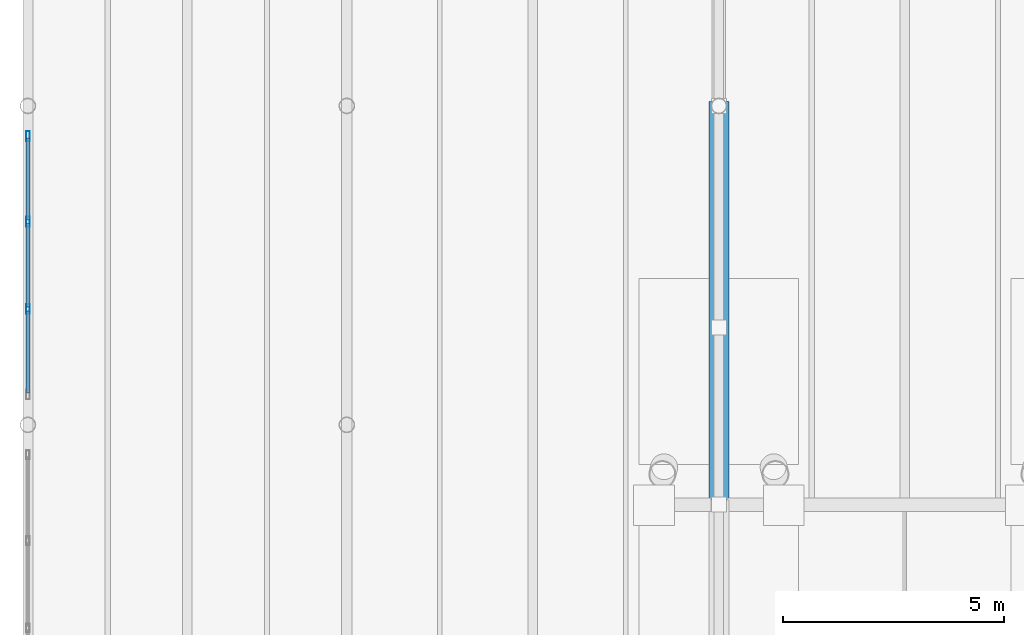
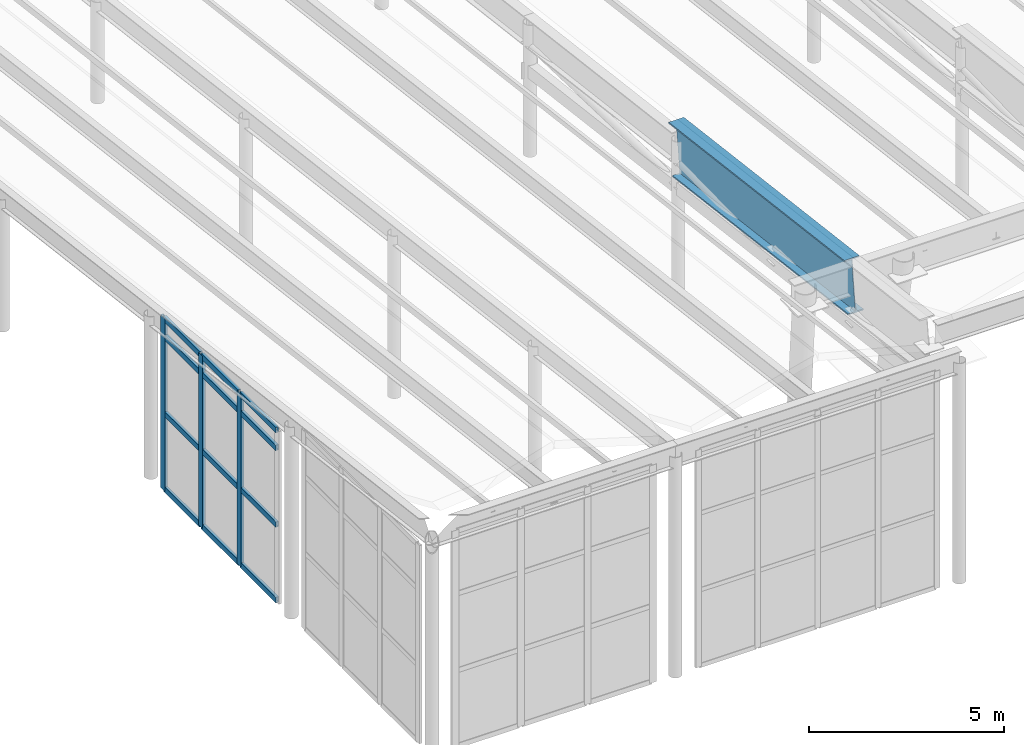
# One storey, part 5 of 14: 15 members, 1 beam, 1 element without a shape of its own.
"""IFC4 building model written with IfcOpenShell, lengths in metres."""

import ifcopenshell
import ifcopenshell.guid

model = None  # the IFC model being written
_history = None  # IfcOwnerHistory: only IFC2X3 demands one
_inside = {}  # id of a spatial element -> (the spatial element, [elements in it])
_under = {}  # id of a project, library or spatial element -> (it, [spatial elements below it])
_declared = {}  # id of a project -> (the project, [libraries it declares])
_typed = {}  # id of a type object -> (the type object, [elements of that type])
_made_of = {}  # id of a material, layer set ... -> (it, [elements and type objects made of it])


def new_model(schema):
    """Start an empty IFC model of exactly this schema.

    Asked for "IFC4X3", IfcOpenShell would pick the latest addendum, in which some entities
    have other attributes; the version numbers below select the first issue.
    IFC2X3 requires an IfcOwnerHistory on every rooted entity: one is made here for all.
    """
    global model, _history
    if schema == "IFC4X3":
        model = ifcopenshell.file(schema_version=(4, 3, 0, 0))
    else:
        model = ifcopenshell.file(schema=schema)
    _inside.clear()
    _under.clear()
    _declared.clear()
    _typed.clear()
    _made_of.clear()
    _history = None
    if model.schema == "IFC2X3":
        org = make("IfcOrganization", Name="unknown")
        user = make(
            "IfcPersonAndOrganization",
            ThePerson=make("IfcPerson", FamilyName="unknown"),
            TheOrganization=org,
        )
        app = make(
            "IfcApplication",
            ApplicationDeveloper=org,
            Version="unknown",
            ApplicationFullName="unknown",
            ApplicationIdentifier="unknown",
        )
        _history = make(
            "IfcOwnerHistory",
            OwningUser=user,
            OwningApplication=app,
            ChangeAction="ADDED",
            CreationDate=0,
        )
    return model


def make(cls, **values):
    """One entity of the class cls with the attributes given. An attribute that is None is left unset."""
    return model.create_entity(
        cls, **{name: value for name, value in values.items() if value is not None}
    )


def rooted(cls, **values):
    """An entity with a GlobalId (a new one), such as an element, a storey or a relation."""
    return make(cls, GlobalId=ifcopenshell.guid.new(), OwnerHistory=_history, **values)


def si_unit(unit_type, name, prefix=None):
    """IfcSIUnit, for example si_unit("LENGTHUNIT", "METRE", prefix="MILLI")."""
    return make("IfcSIUnit", UnitType=unit_type, Prefix=prefix, Name=name)


def assignment(units):
    """IfcUnitAssignment: the units of a project."""
    return None if units is None else make("IfcUnitAssignment", Units=units)


def point(xyz):
    """IfcCartesianPoint."""
    return None if xyz is None else make("IfcCartesianPoint", Coordinates=xyz)


def direction(xyz):
    """IfcDirection."""
    return None if xyz is None else make("IfcDirection", DirectionRatios=xyz)


def frame(location, z_axis=None, x_axis=None):
    """IfcAxis2Placement3D, a coordinate frame: its origin and axes. An axis left out is left unset."""
    return make(
        "IfcAxis2Placement3D",
        Location=point(location),
        Axis=direction(z_axis),
        RefDirection=direction(x_axis),
    )


def frame_2d(location, x_axis=None):
    """IfcAxis2Placement2D, a coordinate frame in the plane: its origin and x axis."""
    return make(
        "IfcAxis2Placement2D", Location=point(location), RefDirection=direction(x_axis)
    )


def origin():
    """The frame at (0, 0, 0) with its axes left unset."""
    return frame((0.0, 0.0, 0.0))


def origin_2d():
    """The frame at (0, 0) in the plane with its x axis left unset."""
    return frame_2d((0.0, 0.0))


def place(relative_to, where):
    """IfcLocalPlacement: puts the frame where relative to a parent placement (None: the world)."""
    return make(
        "IfcLocalPlacement", PlacementRelTo=relative_to, RelativePlacement=where
    )


def context(
    kind, dimensions, precision=None, world=None, true_north=None, identifier=None
):
    """IfcGeometricRepresentationContext, for example the 3D "Model" context."""
    return make(
        "IfcGeometricRepresentationContext",
        ContextIdentifier=identifier,
        ContextType=kind,
        CoordinateSpaceDimension=dimensions,
        Precision=precision,
        WorldCoordinateSystem=world,
        TrueNorth=true_north,
    )


def subcontext(parent, identifier, kind, view, scale=None):
    """IfcGeometricRepresentationSubContext, for example "Body" below "Model"."""
    return make(
        "IfcGeometricRepresentationSubContext",
        ContextIdentifier=identifier,
        ContextType=kind,
        ParentContext=parent,
        TargetScale=scale,
        TargetView=view,
    )


def project(units=None, contexts=None):
    """IfcProject with its units and contexts."""
    return rooted(
        "IfcProject",
        Name="project",
        RepresentationContexts=contexts,
        UnitsInContext=assignment(units),
    )


def spatial(cls, under=None, at=None, **own):
    """A site, building, storey or space (cls), placed at a placement, below another one or the project."""
    s = rooted(cls, ObjectPlacement=at, **own)
    if under is not None:
        _under.setdefault(under.id(), (under, []))[1].append(s)
    return s


def profile(cls, at=None, kind="AREA", **sizes):
    """A parametric profile (cls). Its sizes go by their IFC names, for example OverallWidth=200.0."""
    return make(cls, ProfileType=kind, Position=at, **sizes)


def hollow_rectangle(**sizes):
    """IfcRectangleHollowProfileDef."""
    return profile("IfcRectangleHollowProfileDef", **sizes)


def i_section(**sizes):
    """IfcIShapeProfileDef."""
    return profile("IfcIShapeProfileDef", **sizes)


def extrude(swept, where, along, depth):
    """IfcExtrudedAreaSolid: the profile swept, set in the frame where, extruded along a direction by depth."""
    return make(
        "IfcExtrudedAreaSolid",
        SweptArea=swept,
        Position=where,
        ExtrudedDirection=direction(along),
        Depth=depth,
    )


def shape(context_of_items, identifier, shape_type, items):
    """IfcShapeRepresentation: the items that make up one representation, for example the "Body"."""
    return make(
        "IfcShapeRepresentation",
        ContextOfItems=context_of_items,
        RepresentationIdentifier=identifier,
        RepresentationType=shape_type,
        Items=items,
    )


def material(Name=None, Category=None):
    """IfcMaterial."""
    return make("IfcMaterial", Name=Name, Category=Category)


def layer(
    of_material, thickness, ventilated=None, Name=None, Category=None, Priority=None
):
    """IfcMaterialLayer: one layer of a wall or slab, of a material (None: an air gap)."""
    return make(
        "IfcMaterialLayer",
        Material=of_material,
        LayerThickness=thickness,
        IsVentilated=ventilated,
        Name=Name,
        Category=Category,
        Priority=Priority,
    )


def layer_set(layers, Name=None):
    """IfcMaterialLayerSet."""
    return make("IfcMaterialLayerSet", MaterialLayers=layers, LayerSetName=Name)


def material_profile(
    of_material, cross_section, Name=None, Category=None, Priority=None
):
    """IfcMaterialProfile: a cross section and its material."""
    return make(
        "IfcMaterialProfile",
        Name=Name,
        Material=of_material,
        Profile=cross_section,
        Priority=Priority,
        Category=Category,
    )


def profile_set(profiles, Name=None, composite=None):
    """IfcMaterialProfileSet."""
    return make(
        "IfcMaterialProfileSet",
        Name=Name,
        MaterialProfiles=profiles,
        CompositeProfile=composite,
    )


def made_of(thing, what):
    """Note that an element or type object is made of a material, layer set ...; save() writes the relation."""
    if what is not None:
        _made_of.setdefault(what.id(), (what, []))[1].append(thing)
    return thing


def type_object(cls, material=None, **own):
    """A type object (cls), such as IfcWallType, which elements share."""
    return made_of(rooted(cls, **own), material)


def element(
    cls,
    number,
    at=None,
    inside=None,
    cuts=None,
    type_object=None,
    material=None,
    context=None,
    identifier="Body",
    shape_type=None,
    held_by="IfcProductDefinitionShape",
    body=None,
    shapes=None,
    **own,
):
    """One element of the class cls, such as IfcWall. Its Tag is "e" and its number.

    at: its placement. inside: the storey or other place that contains it. cuts: it is an
    opening in that element (IfcRelVoidsElement). A single representation is given by context,
    identifier, shape_type and body (its items); several are given by shapes. held_by: the class
    of the entity that holds the representations. save() writes the other relations.
    """
    e = rooted(cls, Tag="e%d" % number, ObjectPlacement=at, **own)
    if body is not None:
        shapes = [shape(context, identifier, shape_type, body)]
    if shapes is not None:
        e.Representation = make(held_by, Representations=shapes)
    if inside is not None:
        _inside.setdefault(inside.id(), (inside, []))[1].append(e)
    if cuts is not None:
        rooted(
            "IfcRelVoidsElement", RelatingBuildingElement=cuts, RelatedOpeningElement=e
        )
    if type_object is not None:
        _typed.setdefault(type_object.id(), (type_object, []))[1].append(e)
    return made_of(e, material)


def aggregate(whole, parts):
    """IfcRelAggregates: a whole, such as a stair, and the parts it consists of."""
    return rooted("IfcRelAggregates", RelatingObject=whole, RelatedObjects=parts)


def save(model, path):
    """Write the relations noted so far, then the file.

    IfcRelAggregates (storeys below a building ...), IfcRelContainedInSpatialStructure (elements
    in a storey), IfcRelDefinesByType, IfcRelAssociatesMaterial and IfcRelDeclares: one each for
    every whole, place, type object, material and project.
    """
    for whole, parts in _under.values():
        aggregate(whole, parts)
    for where, things in _inside.values():
        rooted(
            "IfcRelContainedInSpatialStructure",
            RelatedElements=things,
            RelatingStructure=where,
        )
    for kind, things in _typed.values():
        rooted("IfcRelDefinesByType", RelatedObjects=things, RelatingType=kind)
    for what, things in _made_of.values():
        rooted("IfcRelAssociatesMaterial", RelatedObjects=things, RelatingMaterial=what)
    for by, libraries in _declared.values():
        rooted("IfcRelDeclares", RelatingContext=by, RelatedDefinitions=libraries)
    model.write(path)


model = new_model("IFC4")

# Units and contexts
model_context = context("Model", 3, precision=1e-05, world=origin(), true_north=direction((0.0, 1.0)))
body_context = subcontext(model_context, "Body", "Model", "MODEL_VIEW")
ifc_project = project(units=[si_unit("LENGTHUNIT", "METRE"), si_unit("AREAUNIT", "SQUARE_METRE"), si_unit("VOLUMEUNIT", "CUBIC_METRE"), si_unit("PLANEANGLEUNIT", "RADIAN"), si_unit("MASSUNIT", "GRAM", prefix="KILO")], contexts=[model_context])

# Site, building, storey
site_placement = place(None, origin())
site = spatial("IfcSite", under=ifc_project, at=site_placement, CompositionType="ELEMENT")
building_placement = place(site_placement, origin())
building = spatial("IfcBuilding", under=site, at=building_placement, Name="Xicomal Pleat Aquarium", CompositionType="ELEMENT")
storey_placement = place(building_placement, frame((0.0, 0.0, 24.0)))
storey = spatial("IfcBuildingStorey", under=building, at=storey_placement, Name="RF", CompositionType="ELEMENT", Elevation=24.0)

# Beam
ifc_material_1 = material(Name="Structural steel A992 Gr 50", Category="steel")
ifc_material_profile_1 = material_profile(ifc_material_1, i_section(OverallWidth=0.449951171875, OverallDepth=1.60009765625, WebThickness=0.02197265625, FlangeThickness=0.0400390625, at=origin_2d()), Name="IR 1600x540")
ifc_profile_set_1 = profile_set([ifc_material_profile_1], Name="Structural steel A992 Gr 50")
beam_type = type_object("IfcBeamType", Name="BM-STL-IR1600", PredefinedType="BEAM", material=ifc_profile_set_1)
beam_placement = place(storey_placement, frame((18.60009765625, 6.199951171875, 5.943115234375), z_axis=(0.0, 0.992208154771, -0.124591242091), x_axis=(-1.0, 0.0, 0.0)))
element("IfcBeam", 1, at=beam_placement, inside=storey, type_object=beam_type, Name="RF pleated canopy girder 03-MID", PredefinedType="BEAM", context=body_context, shape_type="SweptSolid", body=[
    extrude(i_section(OverallWidth=0.449951171875, OverallDepth=1.60009765625, WebThickness=0.02197265625, FlangeThickness=0.0400390625, at=origin_2d()), origin(), (0.0, 0.0, 1.0), 9.070556640625),
])

# Curtain wall, members
ifc_material_2 = material(Name="Bronze anodized aluminium 6063-T6", Category="aluminium")
ifc_layer = layer(ifc_material_2, 0.159912109375)
ifc_layer_set = layer_set([ifc_layer], Name="Bronze anodized aluminium 6063-T6")
curtain_wall_type = type_object("IfcCurtainWallType", Name="CW-SYS-05", PredefinedType="NOTDEFINED", material=ifc_layer_set)
curtain_wall_placement = place(storey_placement, origin())
curtain_wall = element("IfcCurtainWall", 2, at=curtain_wall_placement, inside=storey, type_object=curtain_wall_type, Name="RF pleated crown clerestory curtain wall CW-RF-02", PredefinedType="NOTDEFINED")
ifc_material_3 = material(Name="Bronze anodized aluminium 6063-T6", Category="aluminium")
ifc_material_profile_2 = material_profile(ifc_material_3, hollow_rectangle(XDim=0.0849609375, YDim=0.219970703125, WallThickness=0.0048828125, at=origin_2d()), Name="ALU MULL 85x220")
ifc_profile_set_2 = profile_set([ifc_material_profile_2], Name="Bronze anodized aluminium 6063-T6")
member_type_1 = type_object("IfcMemberType", Name="CWM-85x220", PredefinedType="MULLION", material=ifc_profile_set_2)
member_1_placement = place(storey_placement, frame((3.0, 10.61328125, 0.0), z_axis=(0.0, 0.0, 1.0), x_axis=(-1.0, 0.0, 0.0)))
member_1 = element("IfcMember", 3, at=member_1_placement, type_object=member_type_1, Name="CW-05 mullion 2", PredefinedType="MULLION", context=body_context, shape_type="SweptSolid", body=[
    extrude(hollow_rectangle(XDim=0.0849609375, YDim=0.219970703125, WallThickness=0.0048828125, at=origin_2d()), origin(), (0.0, 0.0, 1.0), 5.39990234375),
])
member_2_placement = place(storey_placement, frame((3.0, 12.586669921875, 0.0), z_axis=(0.0, 0.0, 1.0), x_axis=(-1.0, 0.0, 0.0)))
member_2 = element("IfcMember", 4, at=member_2_placement, type_object=member_type_1, Name="CW-05 mullion 3", PredefinedType="MULLION", context=body_context, shape_type="SweptSolid", body=[
    extrude(hollow_rectangle(XDim=0.0849609375, YDim=0.219970703125, WallThickness=0.0048828125, at=origin_2d()), origin(), (0.0, 0.0, 1.0), 5.39990234375),
])
member_3_placement = place(storey_placement, frame((3.0, 14.517578125, 0.0), z_axis=(0.0, 0.0, 1.0), x_axis=(-1.0, 0.0, 0.0)))
member_3 = element("IfcMember", 5, at=member_3_placement, type_object=member_type_1, Name="CW-05 mullion 4", PredefinedType="MULLION", context=body_context, shape_type="SweptSolid", body=[
    extrude(hollow_rectangle(XDim=0.0849609375, YDim=0.219970703125, WallThickness=0.0048828125, at=origin_2d()), origin(), (0.0, 0.0, 1.0), 5.39990234375),
])
ifc_material_4 = material(Name="Bronze anodized aluminium 6063-T6", Category="aluminium")
ifc_material_profile_3 = material_profile(ifc_material_4, hollow_rectangle(XDim=0.0849609375, YDim=0.169921875, WallThickness=0.0048828125, at=origin_2d()), Name="ALU TRAN 85x170")
ifc_profile_set_3 = profile_set([ifc_material_profile_3], Name="Bronze anodized aluminium 6063-T6")
member_type_2 = type_object("IfcMemberType", Name="CWT-85x170", PredefinedType="USERDEFINED", material=ifc_profile_set_3)
member_4_placement = place(storey_placement, frame((3.0, 8.72509765625, 0.04248046875), z_axis=(0.0, 1.0, 0.0), x_axis=(-1.0, 0.0, 0.0)))
member_4 = element("IfcMember", 6, at=member_4_placement, type_object=member_type_2, Name="CW-05 transom 1.1", ObjectType="TRANSOM", PredefinedType="USERDEFINED", context=body_context, shape_type="SweptSolid", body=[
    extrude(hollow_rectangle(XDim=0.0849609375, YDim=0.169921875, WallThickness=0.0048828125, at=origin_2d()), origin(), (0.0, 0.0, 1.0), 1.845703125),
])
member_5_placement = place(storey_placement, frame((3.0, 8.72509765625, 2.39990234375), z_axis=(0.0, 1.0, 0.0), x_axis=(-1.0, 0.0, 0.0)))
member_5 = element("IfcMember", 7, at=member_5_placement, type_object=member_type_2, Name="CW-05 transom 1.2", ObjectType="TRANSOM", PredefinedType="USERDEFINED", context=body_context, shape_type="SweptSolid", body=[
    extrude(hollow_rectangle(XDim=0.0849609375, YDim=0.169921875, WallThickness=0.0048828125, at=origin_2d()), origin(), (0.0, 0.0, 1.0), 1.845703125),
])
member_6_placement = place(storey_placement, frame((3.0, 8.72509765625, 4.800048828125), z_axis=(0.0, 1.0, 0.0), x_axis=(-1.0, 0.0, 0.0)))
member_6 = element("IfcMember", 8, at=member_6_placement, type_object=member_type_2, Name="CW-05 transom 1.3", ObjectType="TRANSOM", PredefinedType="USERDEFINED", context=body_context, shape_type="SweptSolid", body=[
    extrude(hollow_rectangle(XDim=0.0849609375, YDim=0.169921875, WallThickness=0.0048828125, at=origin_2d()), origin(), (0.0, 0.0, 1.0), 1.845703125),
])
member_7_placement = place(storey_placement, frame((3.0, 8.72509765625, 5.357421875), z_axis=(0.0, 1.0, 0.0), x_axis=(-1.0, 0.0, 0.0)))
member_7 = element("IfcMember", 9, at=member_7_placement, type_object=member_type_2, Name="CW-05 transom 1.4", ObjectType="TRANSOM", PredefinedType="USERDEFINED", context=body_context, shape_type="SweptSolid", body=[
    extrude(hollow_rectangle(XDim=0.0849609375, YDim=0.169921875, WallThickness=0.0048828125, at=origin_2d()), origin(), (0.0, 0.0, 1.0), 1.845703125),
])
member_8_placement = place(storey_placement, frame((3.0, 10.65576171875, 0.04248046875), z_axis=(0.0, 1.0, 0.0), x_axis=(-1.0, 0.0, 0.0)))
member_8 = element("IfcMember", 10, at=member_8_placement, type_object=member_type_2, Name="CW-05 transom 2.1", ObjectType="TRANSOM", PredefinedType="USERDEFINED", context=body_context, shape_type="SweptSolid", body=[
    extrude(hollow_rectangle(XDim=0.0849609375, YDim=0.169921875, WallThickness=0.0048828125, at=origin_2d()), origin(), (0.0, 0.0, 1.0), 1.888427734375),
])
member_9_placement = place(storey_placement, frame((3.0, 10.65576171875, 2.39990234375), z_axis=(0.0, 1.0, 0.0), x_axis=(-1.0, 0.0, 0.0)))
member_9 = element("IfcMember", 11, at=member_9_placement, type_object=member_type_2, Name="CW-05 transom 2.2", ObjectType="TRANSOM", PredefinedType="USERDEFINED", context=body_context, shape_type="SweptSolid", body=[
    extrude(hollow_rectangle(XDim=0.0849609375, YDim=0.169921875, WallThickness=0.0048828125, at=origin_2d()), origin(), (0.0, 0.0, 1.0), 1.888427734375),
])
member_10_placement = place(storey_placement, frame((3.0, 10.65576171875, 4.800048828125), z_axis=(0.0, 1.0, 0.0), x_axis=(-1.0, 0.0, 0.0)))
member_10 = element("IfcMember", 12, at=member_10_placement, type_object=member_type_2, Name="CW-05 transom 2.3", ObjectType="TRANSOM", PredefinedType="USERDEFINED", context=body_context, shape_type="SweptSolid", body=[
    extrude(hollow_rectangle(XDim=0.0849609375, YDim=0.169921875, WallThickness=0.0048828125, at=origin_2d()), origin(), (0.0, 0.0, 1.0), 1.888427734375),
])
member_11_placement = place(storey_placement, frame((3.0, 10.65576171875, 5.357421875), z_axis=(0.0, 1.0, 0.0), x_axis=(-1.0, 0.0, 0.0)))
member_11 = element("IfcMember", 13, at=member_11_placement, type_object=member_type_2, Name="CW-05 transom 2.4", ObjectType="TRANSOM", PredefinedType="USERDEFINED", context=body_context, shape_type="SweptSolid", body=[
    extrude(hollow_rectangle(XDim=0.0849609375, YDim=0.169921875, WallThickness=0.0048828125, at=origin_2d()), origin(), (0.0, 0.0, 1.0), 1.888427734375),
])
member_12_placement = place(storey_placement, frame((3.0, 12.629150390625, 0.04248046875), z_axis=(0.0, 1.0, 0.0), x_axis=(-1.0, 0.0, 0.0)))
member_12 = element("IfcMember", 14, at=member_12_placement, type_object=member_type_2, Name="CW-05 transom 3.1", ObjectType="TRANSOM", PredefinedType="USERDEFINED", context=body_context, shape_type="SweptSolid", body=[
    extrude(hollow_rectangle(XDim=0.0849609375, YDim=0.169921875, WallThickness=0.0048828125, at=origin_2d()), origin(), (0.0, 0.0, 1.0), 1.845947265625),
])
member_13_placement = place(storey_placement, frame((3.0, 12.629150390625, 2.39990234375), z_axis=(0.0, 1.0, 0.0), x_axis=(-1.0, 0.0, 0.0)))
member_13 = element("IfcMember", 15, at=member_13_placement, type_object=member_type_2, Name="CW-05 transom 3.2", ObjectType="TRANSOM", PredefinedType="USERDEFINED", context=body_context, shape_type="SweptSolid", body=[
    extrude(hollow_rectangle(XDim=0.0849609375, YDim=0.169921875, WallThickness=0.0048828125, at=origin_2d()), origin(), (0.0, 0.0, 1.0), 1.845947265625),
])
member_14_placement = place(storey_placement, frame((3.0, 12.629150390625, 4.800048828125), z_axis=(0.0, 1.0, 0.0), x_axis=(-1.0, 0.0, 0.0)))
member_14 = element("IfcMember", 16, at=member_14_placement, type_object=member_type_2, Name="CW-05 transom 3.3", ObjectType="TRANSOM", PredefinedType="USERDEFINED", context=body_context, shape_type="SweptSolid", body=[
    extrude(hollow_rectangle(XDim=0.0849609375, YDim=0.169921875, WallThickness=0.0048828125, at=origin_2d()), origin(), (0.0, 0.0, 1.0), 1.845947265625),
])
member_15_placement = place(storey_placement, frame((3.0, 12.629150390625, 5.357421875), z_axis=(0.0, 1.0, 0.0), x_axis=(-1.0, 0.0, 0.0)))
member_15 = element("IfcMember", 17, at=member_15_placement, type_object=member_type_2, Name="CW-05 transom 3.4", ObjectType="TRANSOM", PredefinedType="USERDEFINED", context=body_context, shape_type="SweptSolid", body=[
    extrude(hollow_rectangle(XDim=0.0849609375, YDim=0.169921875, WallThickness=0.0048828125, at=origin_2d()), origin(), (0.0, 0.0, 1.0), 1.845947265625),
])
aggregate(curtain_wall, [member_1, member_2, member_3, member_4, member_5, member_6, member_7, member_8, member_9, member_10, member_11, member_12, member_13, member_14, member_15])

save(model, "model.ifc")
